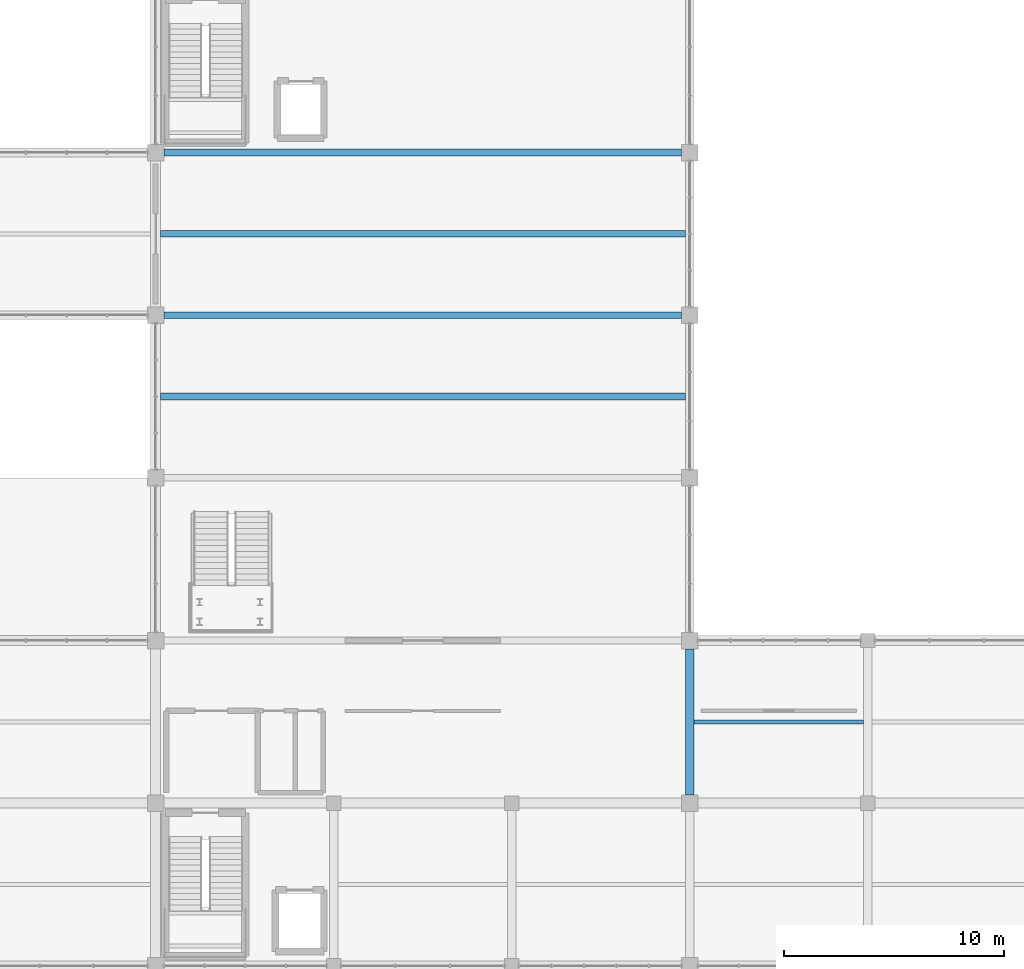
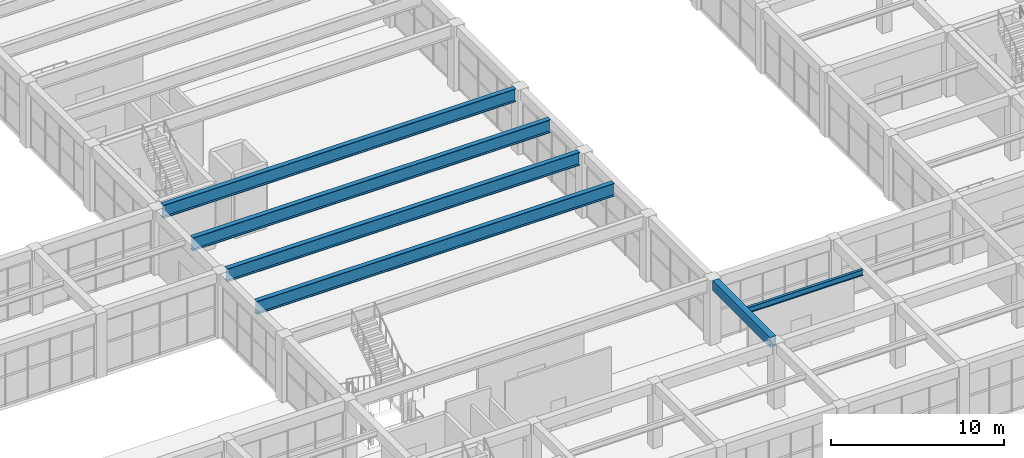
# One storey, part 52 of 161: 6 beams.
"""IFC4 building model written with IfcOpenShell, lengths in metres."""

import ifcopenshell
import ifcopenshell.guid

model = None  # the IFC model being written
_history = None  # IfcOwnerHistory: only IFC2X3 demands one
_inside = {}  # id of a spatial element -> (the spatial element, [elements in it])
_under = {}  # id of a project, library or spatial element -> (it, [spatial elements below it])
_declared = {}  # id of a project -> (the project, [libraries it declares])
_typed = {}  # id of a type object -> (the type object, [elements of that type])
_made_of = {}  # id of a material, layer set ... -> (it, [elements and type objects made of it])


def new_model(schema):
    """Start an empty IFC model of exactly this schema.

    Asked for "IFC4X3", IfcOpenShell would pick the latest addendum, in which some entities
    have other attributes; the version numbers below select the first issue.
    IFC2X3 requires an IfcOwnerHistory on every rooted entity: one is made here for all.
    """
    global model, _history
    if schema == "IFC4X3":
        model = ifcopenshell.file(schema_version=(4, 3, 0, 0))
    else:
        model = ifcopenshell.file(schema=schema)
    _inside.clear()
    _under.clear()
    _declared.clear()
    _typed.clear()
    _made_of.clear()
    _history = None
    if model.schema == "IFC2X3":
        org = make("IfcOrganization", Name="unknown")
        user = make(
            "IfcPersonAndOrganization",
            ThePerson=make("IfcPerson", FamilyName="unknown"),
            TheOrganization=org,
        )
        app = make(
            "IfcApplication",
            ApplicationDeveloper=org,
            Version="unknown",
            ApplicationFullName="unknown",
            ApplicationIdentifier="unknown",
        )
        _history = make(
            "IfcOwnerHistory",
            OwningUser=user,
            OwningApplication=app,
            ChangeAction="ADDED",
            CreationDate=0,
        )
    return model


def make(cls, **values):
    """One entity of the class cls with the attributes given. An attribute that is None is left unset."""
    return model.create_entity(
        cls, **{name: value for name, value in values.items() if value is not None}
    )


def rooted(cls, **values):
    """An entity with a GlobalId (a new one), such as an element, a storey or a relation."""
    return make(cls, GlobalId=ifcopenshell.guid.new(), OwnerHistory=_history, **values)


def si_unit(unit_type, name, prefix=None):
    """IfcSIUnit, for example si_unit("LENGTHUNIT", "METRE", prefix="MILLI")."""
    return make("IfcSIUnit", UnitType=unit_type, Prefix=prefix, Name=name)


def assignment(units):
    """IfcUnitAssignment: the units of a project."""
    return None if units is None else make("IfcUnitAssignment", Units=units)


def point(xyz):
    """IfcCartesianPoint."""
    return None if xyz is None else make("IfcCartesianPoint", Coordinates=xyz)


def direction(xyz):
    """IfcDirection."""
    return None if xyz is None else make("IfcDirection", DirectionRatios=xyz)


def frame(location, z_axis=None, x_axis=None):
    """IfcAxis2Placement3D, a coordinate frame: its origin and axes. An axis left out is left unset."""
    return make(
        "IfcAxis2Placement3D",
        Location=point(location),
        Axis=direction(z_axis),
        RefDirection=direction(x_axis),
    )


def frame_2d(location, x_axis=None):
    """IfcAxis2Placement2D, a coordinate frame in the plane: its origin and x axis."""
    return make(
        "IfcAxis2Placement2D", Location=point(location), RefDirection=direction(x_axis)
    )


def origin():
    """The frame at (0, 0, 0) with its axes left unset."""
    return frame((0.0, 0.0, 0.0))


def origin_2d():
    """The frame at (0, 0) in the plane with its x axis left unset."""
    return frame_2d((0.0, 0.0))


def place(relative_to, where):
    """IfcLocalPlacement: puts the frame where relative to a parent placement (None: the world)."""
    return make(
        "IfcLocalPlacement", PlacementRelTo=relative_to, RelativePlacement=where
    )


def context(
    kind, dimensions, precision=None, world=None, true_north=None, identifier=None
):
    """IfcGeometricRepresentationContext, for example the 3D "Model" context."""
    return make(
        "IfcGeometricRepresentationContext",
        ContextIdentifier=identifier,
        ContextType=kind,
        CoordinateSpaceDimension=dimensions,
        Precision=precision,
        WorldCoordinateSystem=world,
        TrueNorth=true_north,
    )


def subcontext(parent, identifier, kind, view, scale=None):
    """IfcGeometricRepresentationSubContext, for example "Body" below "Model"."""
    return make(
        "IfcGeometricRepresentationSubContext",
        ContextIdentifier=identifier,
        ContextType=kind,
        ParentContext=parent,
        TargetScale=scale,
        TargetView=view,
    )


def project(units=None, contexts=None):
    """IfcProject with its units and contexts."""
    return rooted(
        "IfcProject",
        Name="project",
        RepresentationContexts=contexts,
        UnitsInContext=assignment(units),
    )


def spatial(cls, under=None, at=None, **own):
    """A site, building, storey or space (cls), placed at a placement, below another one or the project."""
    s = rooted(cls, ObjectPlacement=at, **own)
    if under is not None:
        _under.setdefault(under.id(), (under, []))[1].append(s)
    return s


def profile(cls, at=None, kind="AREA", **sizes):
    """A parametric profile (cls). Its sizes go by their IFC names, for example OverallWidth=200.0."""
    return make(cls, ProfileType=kind, Position=at, **sizes)


def rectangle(**sizes):
    """IfcRectangleProfileDef."""
    return profile("IfcRectangleProfileDef", **sizes)


def i_section(**sizes):
    """IfcIShapeProfileDef."""
    return profile("IfcIShapeProfileDef", **sizes)


def extrude(swept, where, along, depth):
    """IfcExtrudedAreaSolid: the profile swept, set in the frame where, extruded along a direction by depth."""
    return make(
        "IfcExtrudedAreaSolid",
        SweptArea=swept,
        Position=where,
        ExtrudedDirection=direction(along),
        Depth=depth,
    )


def shape(context_of_items, identifier, shape_type, items):
    """IfcShapeRepresentation: the items that make up one representation, for example the "Body"."""
    return make(
        "IfcShapeRepresentation",
        ContextOfItems=context_of_items,
        RepresentationIdentifier=identifier,
        RepresentationType=shape_type,
        Items=items,
    )


def material(Name=None, Category=None):
    """IfcMaterial."""
    return make("IfcMaterial", Name=Name, Category=Category)


def material_profile(
    of_material, cross_section, Name=None, Category=None, Priority=None
):
    """IfcMaterialProfile: a cross section and its material."""
    return make(
        "IfcMaterialProfile",
        Name=Name,
        Material=of_material,
        Profile=cross_section,
        Priority=Priority,
        Category=Category,
    )


def profile_set(profiles, Name=None, composite=None):
    """IfcMaterialProfileSet."""
    return make(
        "IfcMaterialProfileSet",
        Name=Name,
        MaterialProfiles=profiles,
        CompositeProfile=composite,
    )


def made_of(thing, what):
    """Note that an element or type object is made of a material, layer set ...; save() writes the relation."""
    if what is not None:
        _made_of.setdefault(what.id(), (what, []))[1].append(thing)
    return thing


def type_object(cls, material=None, **own):
    """A type object (cls), such as IfcWallType, which elements share."""
    return made_of(rooted(cls, **own), material)


def element(
    cls,
    number,
    at=None,
    inside=None,
    cuts=None,
    type_object=None,
    material=None,
    context=None,
    identifier="Body",
    shape_type=None,
    held_by="IfcProductDefinitionShape",
    body=None,
    shapes=None,
    **own,
):
    """One element of the class cls, such as IfcWall. Its Tag is "e" and its number.

    at: its placement. inside: the storey or other place that contains it. cuts: it is an
    opening in that element (IfcRelVoidsElement). A single representation is given by context,
    identifier, shape_type and body (its items); several are given by shapes. held_by: the class
    of the entity that holds the representations. save() writes the other relations.
    """
    e = rooted(cls, Tag="e%d" % number, ObjectPlacement=at, **own)
    if body is not None:
        shapes = [shape(context, identifier, shape_type, body)]
    if shapes is not None:
        e.Representation = make(held_by, Representations=shapes)
    if inside is not None:
        _inside.setdefault(inside.id(), (inside, []))[1].append(e)
    if cuts is not None:
        rooted(
            "IfcRelVoidsElement", RelatingBuildingElement=cuts, RelatedOpeningElement=e
        )
    if type_object is not None:
        _typed.setdefault(type_object.id(), (type_object, []))[1].append(e)
    return made_of(e, material)


def aggregate(whole, parts):
    """IfcRelAggregates: a whole, such as a stair, and the parts it consists of."""
    return rooted("IfcRelAggregates", RelatingObject=whole, RelatedObjects=parts)


def save(model, path):
    """Write the relations noted so far, then the file.

    IfcRelAggregates (storeys below a building ...), IfcRelContainedInSpatialStructure (elements
    in a storey), IfcRelDefinesByType, IfcRelAssociatesMaterial and IfcRelDeclares: one each for
    every whole, place, type object, material and project.
    """
    for whole, parts in _under.values():
        aggregate(whole, parts)
    for where, things in _inside.values():
        rooted(
            "IfcRelContainedInSpatialStructure",
            RelatedElements=things,
            RelatingStructure=where,
        )
    for kind, things in _typed.values():
        rooted("IfcRelDefinesByType", RelatedObjects=things, RelatingType=kind)
    for what, things in _made_of.values():
        rooted("IfcRelAssociatesMaterial", RelatedObjects=things, RelatingMaterial=what)
    for by, libraries in _declared.values():
        rooted("IfcRelDeclares", RelatingContext=by, RelatedDefinitions=libraries)
    model.write(path)


model = new_model("IFC4")

# Units and contexts
model_context = context("Model", 3, precision=1e-05, world=origin(), true_north=direction((0.0, 1.0)))
body_context = subcontext(model_context, "Body", "Model", "MODEL_VIEW")
ifc_project = project(units=[si_unit("LENGTHUNIT", "METRE"), si_unit("AREAUNIT", "SQUARE_METRE"), si_unit("VOLUMEUNIT", "CUBIC_METRE"), si_unit("PLANEANGLEUNIT", "RADIAN"), si_unit("MASSUNIT", "GRAM", prefix="KILO")], contexts=[model_context])

# Site, building, storey
site_placement = place(None, origin())
site = spatial("IfcSite", under=ifc_project, at=site_placement, CompositionType="ELEMENT")
building_placement = place(site_placement, origin())
building = spatial("IfcBuilding", under=site, at=building_placement, Name="Cimatlan Art Gallery", CompositionType="ELEMENT")
storey_placement = place(building_placement, frame((0.0, 0.0, 5.39990234375)))
storey = spatial("IfcBuildingStorey", under=building, at=storey_placement, Name="L01", CompositionType="ELEMENT", Elevation=5.39990234375)

# Beams
ifc_material_1 = material(Name="Concrete C40/50", Category="concrete")
ifc_material_profile_1 = material_profile(ifc_material_1, rectangle(XDim=0.39990234375, YDim=0.699951171875, at=origin_2d()), Name="RC400X700")
ifc_profile_set_1 = profile_set([ifc_material_profile_1], Name="Concrete C40/50")
beam_type_1 = type_object("IfcBeamType", Name="BM-RC-400X700", PredefinedType="BEAM", material=ifc_profile_set_1)
beam_1_placement = place(storey_placement, frame((99.199951171875, 31.675048828125, 4.210205078125), z_axis=(0.0, 1.0, 0.0), x_axis=(-1.0, 0.0, 0.0)))
element("IfcBeam", 1, at=beam_1_placement, inside=storey, type_object=beam_type_1, Name="BM-Y-L01-12-04", PredefinedType="BEAM", context=body_context, shape_type="SweptSolid", body=[
    extrude(rectangle(XDim=0.39990234375, YDim=0.699951171875, at=origin_2d()), origin(), (0.0, 0.0, 1.0), 6.64990234375),
])
ifc_material_2 = material(Name="Steel ASTM A992 Grade 50", Category="steel")
ifc_material_profile_2 = material_profile(ifc_material_2, i_section(OverallWidth=0.306884765625, OverallDepth=0.923095703125, WebThickness=0.018310546875, FlangeThickness=0.030029296875, at=origin_2d()), Name="W36X182")
ifc_profile_set_2 = profile_set([ifc_material_profile_2], Name="Steel ASTM A992 Grade 50")
beam_type_2 = type_object("IfcBeamType", Name="BM-SPAN24-L02", PredefinedType="BEAM", material=ifc_profile_set_2)
beam_2_placement = place(storey_placement, frame((75.125, 49.800048828125, 4.0986328125), z_axis=(1.0, 0.0, 0.0), x_axis=(0.0, 1.0, 0.0)))
element("IfcBeam", 2, at=beam_2_placement, inside=storey, type_object=beam_type_2, Name="BM-SP24M-L01-06", PredefinedType="BEAM", context=body_context, shape_type="SweptSolid", body=[
    extrude(i_section(OverallWidth=0.306884765625, OverallDepth=0.923095703125, WebThickness=0.018310546875, FlangeThickness=0.030029296875, at=origin_2d()), origin(), (0.0, 0.0, 1.0), 23.875),
])
beam_3_placement = place(storey_placement, frame((75.27490234375, 53.5, 4.0986328125), z_axis=(1.0, 0.0, 0.0), x_axis=(0.0, 1.0, 0.0)))
element("IfcBeam", 3, at=beam_3_placement, inside=storey, type_object=beam_type_2, Name="BM-SP24-L01-07", PredefinedType="BEAM", context=body_context, shape_type="SweptSolid", body=[
    extrude(i_section(OverallWidth=0.306884765625, OverallDepth=0.923095703125, WebThickness=0.018310546875, FlangeThickness=0.030029296875, at=origin_2d()), origin(), (0.0, 0.0, 1.0), 23.550048828125),
])
beam_4_placement = place(storey_placement, frame((75.125, 57.199951171875, 4.0986328125), z_axis=(1.0, 0.0, 0.0), x_axis=(0.0, 1.0, 0.0)))
element("IfcBeam", 4, at=beam_4_placement, inside=storey, type_object=beam_type_2, Name="BM-SP24M-L01-07", PredefinedType="BEAM", context=body_context, shape_type="SweptSolid", body=[
    extrude(i_section(OverallWidth=0.306884765625, OverallDepth=0.923095703125, WebThickness=0.018310546875, FlangeThickness=0.030029296875, at=origin_2d()), origin(), (0.0, 0.0, 1.0), 23.875),
])
beam_5_placement = place(storey_placement, frame((75.27490234375, 60.89990234375, 4.0986328125), z_axis=(1.0, 0.0, 0.0), x_axis=(0.0, 1.0, 0.0)))
element("IfcBeam", 5, at=beam_5_placement, inside=storey, type_object=beam_type_2, Name="BM-SP24-L01-08", PredefinedType="BEAM", context=body_context, shape_type="SweptSolid", body=[
    extrude(i_section(OverallWidth=0.306884765625, OverallDepth=0.923095703125, WebThickness=0.018310546875, FlangeThickness=0.030029296875, at=origin_2d()), origin(), (0.0, 0.0, 1.0), 23.550048828125),
])
ifc_material_profile_3 = material_profile(ifc_material_2, i_section(OverallWidth=0.177978515625, OverallDepth=0.406982421875, WebThickness=0.0078125, FlangeThickness=0.0126953125, at=origin_2d()), Name="W16X40")
ifc_profile_set_3 = profile_set([ifc_material_profile_3], Name="Steel ASTM A992 Grade 50")
beam_type_3 = type_object("IfcBeamType", Name="BM-STL-W16X40", PredefinedType="JOIST", material=ifc_profile_set_3)
beam_6_placement = place(storey_placement, frame((99.39990234375, 35.0, 4.356689453125), z_axis=(1.0, 0.0, 0.0), x_axis=(0.0, 1.0, 0.0)))
element("IfcBeam", 6, at=beam_6_placement, inside=storey, type_object=beam_type_3, Name="JST-L01-12-04", PredefinedType="JOIST", context=body_context, shape_type="SweptSolid", body=[
    extrude(i_section(OverallWidth=0.177978515625, OverallDepth=0.406982421875, WebThickness=0.0078125, FlangeThickness=0.0126953125, at=origin_2d()), origin(), (0.0, 0.0, 1.0), 7.7001953125),
])

save(model, "model.ifc")
